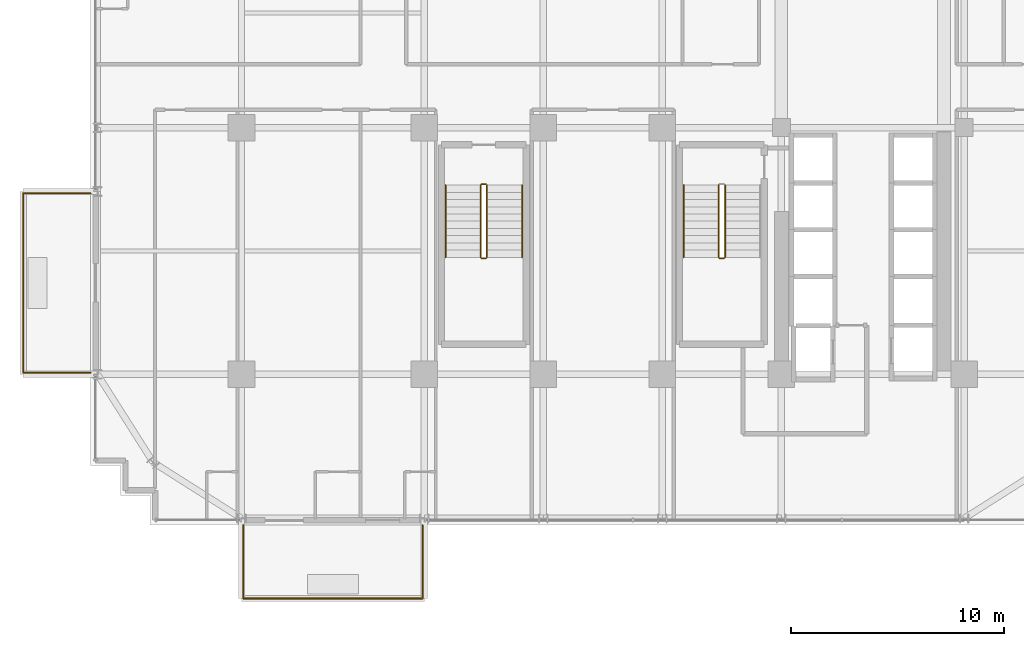
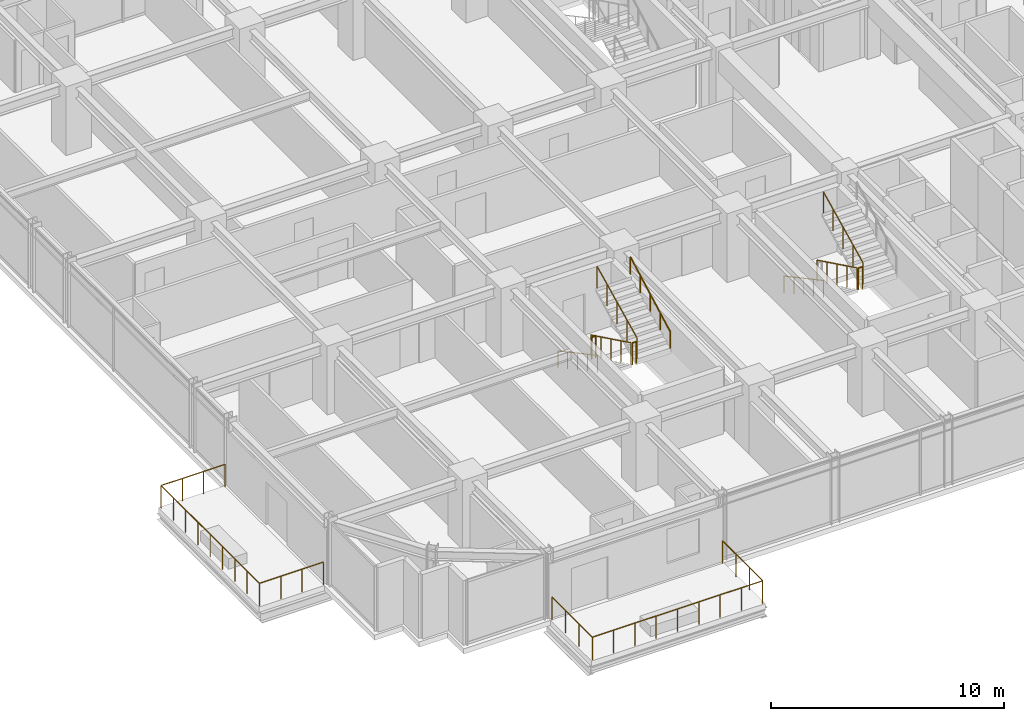
# One storey, part 30 of 32: 12 railings.
"""IFC4 building model written with IfcOpenShell, lengths in metres."""

import ifcopenshell
import ifcopenshell.guid

model = None  # the IFC model being written
_history = None  # IfcOwnerHistory: only IFC2X3 demands one
_inside = {}  # id of a spatial element -> (the spatial element, [elements in it])
_under = {}  # id of a project, library or spatial element -> (it, [spatial elements below it])
_declared = {}  # id of a project -> (the project, [libraries it declares])
_typed = {}  # id of a type object -> (the type object, [elements of that type])
_made_of = {}  # id of a material, layer set ... -> (it, [elements and type objects made of it])


def new_model(schema):
    """Start an empty IFC model of exactly this schema.

    Asked for "IFC4X3", IfcOpenShell would pick the latest addendum, in which some entities
    have other attributes; the version numbers below select the first issue.
    IFC2X3 requires an IfcOwnerHistory on every rooted entity: one is made here for all.
    """
    global model, _history
    if schema == "IFC4X3":
        model = ifcopenshell.file(schema_version=(4, 3, 0, 0))
    else:
        model = ifcopenshell.file(schema=schema)
    _inside.clear()
    _under.clear()
    _declared.clear()
    _typed.clear()
    _made_of.clear()
    _history = None
    if model.schema == "IFC2X3":
        org = make("IfcOrganization", Name="unknown")
        user = make(
            "IfcPersonAndOrganization",
            ThePerson=make("IfcPerson", FamilyName="unknown"),
            TheOrganization=org,
        )
        app = make(
            "IfcApplication",
            ApplicationDeveloper=org,
            Version="unknown",
            ApplicationFullName="unknown",
            ApplicationIdentifier="unknown",
        )
        _history = make(
            "IfcOwnerHistory",
            OwningUser=user,
            OwningApplication=app,
            ChangeAction="ADDED",
            CreationDate=0,
        )
    return model


def make(cls, **values):
    """One entity of the class cls with the attributes given. An attribute that is None is left unset."""
    return model.create_entity(
        cls, **{name: value for name, value in values.items() if value is not None}
    )


def rooted(cls, **values):
    """An entity with a GlobalId (a new one), such as an element, a storey or a relation."""
    return make(cls, GlobalId=ifcopenshell.guid.new(), OwnerHistory=_history, **values)


def si_unit(unit_type, name, prefix=None):
    """IfcSIUnit, for example si_unit("LENGTHUNIT", "METRE", prefix="MILLI")."""
    return make("IfcSIUnit", UnitType=unit_type, Prefix=prefix, Name=name)


def assignment(units):
    """IfcUnitAssignment: the units of a project."""
    return None if units is None else make("IfcUnitAssignment", Units=units)


def point(xyz):
    """IfcCartesianPoint."""
    return None if xyz is None else make("IfcCartesianPoint", Coordinates=xyz)


def direction(xyz):
    """IfcDirection."""
    return None if xyz is None else make("IfcDirection", DirectionRatios=xyz)


def frame(location, z_axis=None, x_axis=None):
    """IfcAxis2Placement3D, a coordinate frame: its origin and axes. An axis left out is left unset."""
    return make(
        "IfcAxis2Placement3D",
        Location=point(location),
        Axis=direction(z_axis),
        RefDirection=direction(x_axis),
    )


def frame_2d(location, x_axis=None):
    """IfcAxis2Placement2D, a coordinate frame in the plane: its origin and x axis."""
    return make(
        "IfcAxis2Placement2D", Location=point(location), RefDirection=direction(x_axis)
    )


def origin():
    """The frame at (0, 0, 0) with its axes left unset."""
    return frame((0.0, 0.0, 0.0))


def origin_2d():
    """The frame at (0, 0) in the plane with its x axis left unset."""
    return frame_2d((0.0, 0.0))


def place(relative_to, where):
    """IfcLocalPlacement: puts the frame where relative to a parent placement (None: the world)."""
    return make(
        "IfcLocalPlacement", PlacementRelTo=relative_to, RelativePlacement=where
    )


def context(
    kind, dimensions, precision=None, world=None, true_north=None, identifier=None
):
    """IfcGeometricRepresentationContext, for example the 3D "Model" context."""
    return make(
        "IfcGeometricRepresentationContext",
        ContextIdentifier=identifier,
        ContextType=kind,
        CoordinateSpaceDimension=dimensions,
        Precision=precision,
        WorldCoordinateSystem=world,
        TrueNorth=true_north,
    )


def subcontext(parent, identifier, kind, view, scale=None):
    """IfcGeometricRepresentationSubContext, for example "Body" below "Model"."""
    return make(
        "IfcGeometricRepresentationSubContext",
        ContextIdentifier=identifier,
        ContextType=kind,
        ParentContext=parent,
        TargetScale=scale,
        TargetView=view,
    )


def project(units=None, contexts=None):
    """IfcProject with its units and contexts."""
    return rooted(
        "IfcProject",
        Name="project",
        RepresentationContexts=contexts,
        UnitsInContext=assignment(units),
    )


def spatial(cls, under=None, at=None, **own):
    """A site, building, storey or space (cls), placed at a placement, below another one or the project."""
    s = rooted(cls, ObjectPlacement=at, **own)
    if under is not None:
        _under.setdefault(under.id(), (under, []))[1].append(s)
    return s


def profile(cls, at=None, kind="AREA", **sizes):
    """A parametric profile (cls). Its sizes go by their IFC names, for example OverallWidth=200.0."""
    return make(cls, ProfileType=kind, Position=at, **sizes)


def circle(**sizes):
    """IfcCircleProfileDef."""
    return profile("IfcCircleProfileDef", **sizes)


def extrude(swept, where, along, depth):
    """IfcExtrudedAreaSolid: the profile swept, set in the frame where, extruded along a direction by depth."""
    return make(
        "IfcExtrudedAreaSolid",
        SweptArea=swept,
        Position=where,
        ExtrudedDirection=direction(along),
        Depth=depth,
    )


def shape(context_of_items, identifier, shape_type, items):
    """IfcShapeRepresentation: the items that make up one representation, for example the "Body"."""
    return make(
        "IfcShapeRepresentation",
        ContextOfItems=context_of_items,
        RepresentationIdentifier=identifier,
        RepresentationType=shape_type,
        Items=items,
    )


def material(Name=None, Category=None):
    """IfcMaterial."""
    return make("IfcMaterial", Name=Name, Category=Category)


def made_of(thing, what):
    """Note that an element or type object is made of a material, layer set ...; save() writes the relation."""
    if what is not None:
        _made_of.setdefault(what.id(), (what, []))[1].append(thing)
    return thing


def type_object(cls, material=None, **own):
    """A type object (cls), such as IfcWallType, which elements share."""
    return made_of(rooted(cls, **own), material)


def element(
    cls,
    number,
    at=None,
    inside=None,
    cuts=None,
    type_object=None,
    material=None,
    context=None,
    identifier="Body",
    shape_type=None,
    held_by="IfcProductDefinitionShape",
    body=None,
    shapes=None,
    **own,
):
    """One element of the class cls, such as IfcWall. Its Tag is "e" and its number.

    at: its placement. inside: the storey or other place that contains it. cuts: it is an
    opening in that element (IfcRelVoidsElement). A single representation is given by context,
    identifier, shape_type and body (its items); several are given by shapes. held_by: the class
    of the entity that holds the representations. save() writes the other relations.
    """
    e = rooted(cls, Tag="e%d" % number, ObjectPlacement=at, **own)
    if body is not None:
        shapes = [shape(context, identifier, shape_type, body)]
    if shapes is not None:
        e.Representation = make(held_by, Representations=shapes)
    if inside is not None:
        _inside.setdefault(inside.id(), (inside, []))[1].append(e)
    if cuts is not None:
        rooted(
            "IfcRelVoidsElement", RelatingBuildingElement=cuts, RelatedOpeningElement=e
        )
    if type_object is not None:
        _typed.setdefault(type_object.id(), (type_object, []))[1].append(e)
    return made_of(e, material)


def aggregate(whole, parts):
    """IfcRelAggregates: a whole, such as a stair, and the parts it consists of."""
    return rooted("IfcRelAggregates", RelatingObject=whole, RelatedObjects=parts)


def save(model, path):
    """Write the relations noted so far, then the file.

    IfcRelAggregates (storeys below a building ...), IfcRelContainedInSpatialStructure (elements
    in a storey), IfcRelDefinesByType, IfcRelAssociatesMaterial and IfcRelDeclares: one each for
    every whole, place, type object, material and project.
    """
    for whole, parts in _under.values():
        aggregate(whole, parts)
    for where, things in _inside.values():
        rooted(
            "IfcRelContainedInSpatialStructure",
            RelatedElements=things,
            RelatingStructure=where,
        )
    for kind, things in _typed.values():
        rooted("IfcRelDefinesByType", RelatedObjects=things, RelatingType=kind)
    for what, things in _made_of.values():
        rooted("IfcRelAssociatesMaterial", RelatedObjects=things, RelatingMaterial=what)
    for by, libraries in _declared.values():
        rooted("IfcRelDeclares", RelatingContext=by, RelatedDefinitions=libraries)
    model.write(path)


model = new_model("IFC4")

# Units and contexts
model_context = context("Model", 3, precision=1e-05, world=origin(), true_north=direction((0.0, 1.0)))
body_context = subcontext(model_context, "Body", "Model", "MODEL_VIEW")
ifc_project = project(units=[si_unit("LENGTHUNIT", "METRE"), si_unit("AREAUNIT", "SQUARE_METRE"), si_unit("VOLUMEUNIT", "CUBIC_METRE"), si_unit("PLANEANGLEUNIT", "RADIAN"), si_unit("MASSUNIT", "GRAM", prefix="KILO")], contexts=[model_context])

# Site, building, storey
site_placement = place(None, origin())
site = spatial("IfcSite", under=ifc_project, at=site_placement, CompositionType="ELEMENT")
building_placement = place(site_placement, origin())
building = spatial("IfcBuilding", under=site, at=building_placement, Name="Nahalor Promenade Grand Hotel", CompositionType="ELEMENT")
storey_placement = place(building_placement, frame((0.0, 0.0, 124.800048828125)))
storey = spatial("IfcBuildingStorey", under=building, at=storey_placement, Name="L31", CompositionType="ELEMENT", Elevation=124.800048828125)

# Railings
ifc_material_1 = material(Name="Anodised Bronze Aluminium EN AW-6063 T6", Category="aluminium")
railing_type_1 = type_object("IfcRailingType", Name="Bronze Balcony Guardrail 1200 mm", PredefinedType="GUARDRAIL", material=ifc_material_1)
railing_1_placement = place(storey_placement, frame((-16.919921875, -24.10009765625, 0.0)))
element("IfcRailing", 1, at=railing_1_placement, inside=storey, type_object=railing_type_1, Name="L31 Balcony Guardrail 1", PredefinedType="GUARDRAIL", context=body_context, shape_type="SweptSolid", body=[
    extrude(circle(Radius=0.024048, at=origin_2d()), frame((0.0, 0.0, 1.17578125), z_axis=(0.0, -1.0, 0.0), x_axis=(1.0, 0.0, 0.0)), (0.0, 0.0, 1.0), 3.447998046875),
    extrude(circle(Radius=0.024048, at=origin_2d()), frame((0.001953125, -3.449951171875, 1.17578125), z_axis=(1.0, 0.0, 0.0), x_axis=(0.0, 1.0, 0.0)), (0.0, 0.0, 1.0), 8.43603515625),
    extrude(circle(Radius=0.024048, at=origin_2d()), frame((8.43994140625, -3.447998046875, 1.17578125), z_axis=(0.0, 1.0, 0.0), x_axis=(-1.0, 0.0, 0.0)), (0.0, 0.0, 1.0), 3.447998046875),
    extrude(circle(Radius=0.020996, at=origin_2d()), origin(), (0.0, 0.0, 1.0), 1.14990234375),
    extrude(circle(Radius=0.020996, at=origin_2d()), frame((0.0, -1.14990234375, 0.0)), (0.0, 0.0, 1.0), 1.14990234375),
    extrude(circle(Radius=0.020996, at=origin_2d()), frame((0.0, -2.300048828125, 0.0)), (0.0, 0.0, 1.0), 1.14990234375),
    extrude(circle(Radius=0.020996, at=origin_2d()), frame((0.0, -3.449951171875, 0.0)), (0.0, 0.0, 1.0), 1.14990234375),
    extrude(circle(Radius=0.020996, at=origin_2d()), frame((1.054931640625, -3.449951171875, 0.0)), (0.0, 0.0, 1.0), 1.14990234375),
    extrude(circle(Radius=0.020996, at=origin_2d()), frame((2.10986328125, -3.449951171875, 0.0)), (0.0, 0.0, 1.0), 1.14990234375),
    extrude(circle(Radius=0.020996, at=origin_2d()), frame((3.1650390625, -3.449951171875, 0.0)), (0.0, 0.0, 1.0), 1.14990234375),
    extrude(circle(Radius=0.020996, at=origin_2d()), frame((4.219970703125, -3.449951171875, 0.0)), (0.0, 0.0, 1.0), 1.14990234375),
    extrude(circle(Radius=0.020996, at=origin_2d()), frame((5.27490234375, -3.449951171875, 0.0)), (0.0, 0.0, 1.0), 1.14990234375),
    extrude(circle(Radius=0.020996, at=origin_2d()), frame((6.330078125, -3.449951171875, 0.0)), (0.0, 0.0, 1.0), 1.14990234375),
    extrude(circle(Radius=0.020996, at=origin_2d()), frame((7.385009765625, -3.449951171875, 0.0)), (0.0, 0.0, 1.0), 1.14990234375),
    extrude(circle(Radius=0.020996, at=origin_2d()), frame((8.43994140625, -3.449951171875, 0.0)), (0.0, 0.0, 1.0), 1.14990234375),
    extrude(circle(Radius=0.020996, at=origin_2d()), frame((8.43994140625, -2.300048828125, 0.0)), (0.0, 0.0, 1.0), 1.14990234375),
    extrude(circle(Radius=0.020996, at=origin_2d()), frame((8.43994140625, -1.14990234375, 0.0)), (0.0, 0.0, 1.0), 1.14990234375),
    extrude(circle(Radius=0.020996, at=origin_2d()), frame((8.43994140625, 0.0, 0.0)), (0.0, 0.0, 1.0), 1.14990234375),
])
railing_2_placement = place(storey_placement, frame((-24.10009765625, -16.919921875, 0.0)))
element("IfcRailing", 2, at=railing_2_placement, inside=storey, type_object=railing_type_1, Name="L31 Balcony Guardrail 2", PredefinedType="GUARDRAIL", context=body_context, shape_type="SweptSolid", body=[
    extrude(circle(Radius=0.024048, at=origin_2d()), frame((0.0, 0.0, 1.17578125), z_axis=(-1.0, 0.0, 0.0), x_axis=(0.0, -1.0, 0.0)), (0.0, 0.0, 1.0), 3.16796875),
    extrude(circle(Radius=0.024048, at=origin_2d()), frame((-3.169921875, 0.001953125, 1.17578125), z_axis=(0.0, 1.0, 0.0), x_axis=(-1.0, 0.0, 0.0)), (0.0, 0.0, 1.0), 8.43603515625),
    extrude(circle(Radius=0.024048, at=origin_2d()), frame((-3.16796875, 8.43994140625, 1.17578125), z_axis=(1.0, 0.0, 0.0), x_axis=(0.0, 1.0, 0.0)), (0.0, 0.0, 1.0), 3.16796875),
    extrude(circle(Radius=0.020996, at=origin_2d()), origin(), (0.0, 0.0, 1.0), 1.14990234375),
    extrude(circle(Radius=0.020996, at=origin_2d()), frame((-1.056640625, 0.0, 0.0)), (0.0, 0.0, 1.0), 1.14990234375),
    extrude(circle(Radius=0.020996, at=origin_2d()), frame((-2.11328125, 0.0, 0.0)), (0.0, 0.0, 1.0), 1.14990234375),
    extrude(circle(Radius=0.020996, at=origin_2d()), frame((-3.169921875, 0.0, 0.0)), (0.0, 0.0, 1.0), 1.14990234375),
    extrude(circle(Radius=0.020996, at=origin_2d()), frame((-3.169921875, 1.054931640625, 0.0)), (0.0, 0.0, 1.0), 1.14990234375),
    extrude(circle(Radius=0.020996, at=origin_2d()), frame((-3.169921875, 2.10986328125, 0.0)), (0.0, 0.0, 1.0), 1.14990234375),
    extrude(circle(Radius=0.020996, at=origin_2d()), frame((-3.169921875, 3.1650390625, 0.0)), (0.0, 0.0, 1.0), 1.14990234375),
    extrude(circle(Radius=0.020996, at=origin_2d()), frame((-3.169921875, 4.219970703125, 0.0)), (0.0, 0.0, 1.0), 1.14990234375),
    extrude(circle(Radius=0.020996, at=origin_2d()), frame((-3.169921875, 5.27490234375, 0.0)), (0.0, 0.0, 1.0), 1.14990234375),
    extrude(circle(Radius=0.020996, at=origin_2d()), frame((-3.169921875, 6.330078125, 0.0)), (0.0, 0.0, 1.0), 1.14990234375),
    extrude(circle(Radius=0.020996, at=origin_2d()), frame((-3.169921875, 7.385009765625, 0.0)), (0.0, 0.0, 1.0), 1.14990234375),
    extrude(circle(Radius=0.020996, at=origin_2d()), frame((-3.169921875, 8.43994140625, 0.0)), (0.0, 0.0, 1.0), 1.14990234375),
    extrude(circle(Radius=0.020996, at=origin_2d()), frame((-2.11328125, 8.43994140625, 0.0)), (0.0, 0.0, 1.0), 1.14990234375),
    extrude(circle(Radius=0.020996, at=origin_2d()), frame((-1.056640625, 8.43994140625, 0.0)), (0.0, 0.0, 1.0), 1.14990234375),
    extrude(circle(Radius=0.020996, at=origin_2d()), frame((0.0, 8.43994140625, 0.0)), (0.0, 0.0, 1.0), 1.14990234375),
])
ifc_material_2 = material(Name="Steel S355JR", Category="steel")
railing_type_2 = type_object("IfcRailingType", Name="Steel Stair Guardrail 1150 mm", PredefinedType="GUARDRAIL", material=ifc_material_2)
railing_3_placement = place(storey_placement, frame((5.449951171875, -8.10009765625, 0.165771484375)))
element("IfcRailing", 3, at=railing_3_placement, inside=storey, type_object=railing_type_2, Name="L31 ST2 stair guard 1", PredefinedType="GUARDRAIL", context=body_context, shape_type="SweptSolid", body=[
    extrude(circle(Radius=0.024048, at=origin_2d()), frame((0.0, 0.0, 1.1259765625), z_axis=(0.0, -0.898696488221, 0.438571114028), x_axis=(1.0, 0.0, 0.0)), (0.0, 0.0, 1.0), 3.783203125),
    extrude(circle(Radius=0.020996, at=origin_2d()), origin(), (0.0, 0.0, 1.0), 1.099853515625),
    extrude(circle(Radius=0.020996, at=origin_2d()), frame((0.0, -0.85009765625, 0.414794921875)), (0.0, 0.0, 1.0), 1.099853515625),
    extrude(circle(Radius=0.020996, at=origin_2d()), frame((0.0, -1.699951171875, 0.82958984375)), (0.0, 0.0, 1.0), 1.099853515625),
    extrude(circle(Radius=0.020996, at=origin_2d()), frame((0.0, -2.5498046875, 1.244384765625)), (0.0, 0.0, 1.0), 1.099853515625),
    extrude(circle(Radius=0.020996, at=origin_2d()), frame((0.0, -3.39990234375, 1.6591796875)), (0.0, 0.0, 1.0), 1.099853515625),
])
railing_4_placement = place(storey_placement, frame((5.5, -11.550048828125, 1.824951171875)))
element("IfcRailing", 4, at=railing_4_placement, inside=storey, type_object=railing_type_2, Name="L31 ST2 stair guard 2", PredefinedType="GUARDRAIL", context=body_context, shape_type="SweptSolid", body=[
    extrude(circle(Radius=0.024048, at=origin_2d()), frame((0.0, 0.0, 1.1259765625), z_axis=(1.0, 0.0, 0.0), x_axis=(0.0, 1.0, 0.0)), (0.0, 0.0, 1.0), 0.199951171875),
    extrude(circle(Radius=0.020996, at=origin_2d()), origin(), (0.0, 0.0, 1.0), 1.099853515625),
    extrude(circle(Radius=0.020996, at=origin_2d()), frame((0.199951171875, 0.0, 0.0)), (0.0, 0.0, 1.0), 1.099853515625),
])
railing_5_placement = place(storey_placement, frame((5.75, -11.5, 1.990966796875)))
element("IfcRailing", 5, at=railing_5_placement, inside=storey, type_object=railing_type_2, Name="L31 ST2 stair guard 3", PredefinedType="GUARDRAIL", context=body_context, shape_type="SweptSolid", body=[
    extrude(circle(Radius=0.024048, at=origin_2d()), frame((0.0, 0.0, 1.1259765625), z_axis=(0.0, 0.898721922897, 0.438518990814), x_axis=(-1.0, 0.0, 0.0)), (0.0, 0.0, 1.0), 3.782958984375),
    extrude(circle(Radius=0.020996, at=origin_2d()), origin(), (0.0, 0.0, 1.0), 1.099853515625),
    extrude(circle(Radius=0.020996, at=origin_2d()), frame((0.0, 0.85009765625, 0.414794921875)), (0.0, 0.0, 1.0), 1.099853515625),
    extrude(circle(Radius=0.020996, at=origin_2d()), frame((0.0, 1.699951171875, 0.82958984375)), (0.0, 0.0, 1.0), 1.099853515625),
    extrude(circle(Radius=0.020996, at=origin_2d()), frame((0.0, 2.5498046875, 1.244140625)), (0.0, 0.0, 1.0), 1.099853515625),
    extrude(circle(Radius=0.020996, at=origin_2d()), frame((0.0, 3.39990234375, 1.658935546875)), (0.0, 0.0, 1.0), 1.099853515625),
])
railing_6_placement = place(storey_placement, frame((-5.75, -8.10009765625, 0.165771484375)))
element("IfcRailing", 6, at=railing_6_placement, inside=storey, type_object=railing_type_2, Name="L31 ST3 stair guard 1", PredefinedType="GUARDRAIL", context=body_context, shape_type="SweptSolid", body=[
    extrude(circle(Radius=0.024048, at=origin_2d()), frame((0.0, 0.0, 1.1259765625), z_axis=(0.0, -0.898696488221, 0.438571114028), x_axis=(1.0, 0.0, 0.0)), (0.0, 0.0, 1.0), 3.783203125),
    extrude(circle(Radius=0.020996, at=origin_2d()), origin(), (0.0, 0.0, 1.0), 1.099853515625),
    extrude(circle(Radius=0.020996, at=origin_2d()), frame((0.0, -0.85009765625, 0.414794921875)), (0.0, 0.0, 1.0), 1.099853515625),
    extrude(circle(Radius=0.020996, at=origin_2d()), frame((0.0, -1.699951171875, 0.82958984375)), (0.0, 0.0, 1.0), 1.099853515625),
    extrude(circle(Radius=0.020996, at=origin_2d()), frame((0.0, -2.5498046875, 1.244384765625)), (0.0, 0.0, 1.0), 1.099853515625),
    extrude(circle(Radius=0.020996, at=origin_2d()), frame((0.0, -3.39990234375, 1.6591796875)), (0.0, 0.0, 1.0), 1.099853515625),
])
railing_7_placement = place(storey_placement, frame((-5.699951171875, -11.550048828125, 1.824951171875)))
element("IfcRailing", 7, at=railing_7_placement, inside=storey, type_object=railing_type_2, Name="L31 ST3 stair guard 2", PredefinedType="GUARDRAIL", context=body_context, shape_type="SweptSolid", body=[
    extrude(circle(Radius=0.024048, at=origin_2d()), frame((0.0, 0.0, 1.1259765625), z_axis=(1.0, 0.0, 0.0), x_axis=(0.0, 1.0, 0.0)), (0.0, 0.0, 1.0), 0.199951171875),
    extrude(circle(Radius=0.020996, at=origin_2d()), origin(), (0.0, 0.0, 1.0), 1.099853515625),
    extrude(circle(Radius=0.020996, at=origin_2d()), frame((0.199951171875, 0.0, 0.0)), (0.0, 0.0, 1.0), 1.099853515625),
])
railing_8_placement = place(storey_placement, frame((-5.449951171875, -11.5, 1.990966796875)))
element("IfcRailing", 8, at=railing_8_placement, inside=storey, type_object=railing_type_2, Name="L31 ST3 stair guard 3", PredefinedType="GUARDRAIL", context=body_context, shape_type="SweptSolid", body=[
    extrude(circle(Radius=0.024048, at=origin_2d()), frame((0.0, 0.0, 1.1259765625), z_axis=(0.0, 0.898721922897, 0.438518990814), x_axis=(-1.0, 0.0, 0.0)), (0.0, 0.0, 1.0), 3.782958984375),
    extrude(circle(Radius=0.020996, at=origin_2d()), origin(), (0.0, 0.0, 1.0), 1.099853515625),
    extrude(circle(Radius=0.020996, at=origin_2d()), frame((0.0, 0.85009765625, 0.414794921875)), (0.0, 0.0, 1.0), 1.099853515625),
    extrude(circle(Radius=0.020996, at=origin_2d()), frame((0.0, 1.699951171875, 0.82958984375)), (0.0, 0.0, 1.0), 1.099853515625),
    extrude(circle(Radius=0.020996, at=origin_2d()), frame((0.0, 2.5498046875, 1.244140625)), (0.0, 0.0, 1.0), 1.099853515625),
    extrude(circle(Radius=0.020996, at=origin_2d()), frame((0.0, 3.39990234375, 1.658935546875)), (0.0, 0.0, 1.0), 1.099853515625),
])
railing_9_placement = place(storey_placement, frame((-5.699951171875, -8.050048828125, 0.0)))
element("IfcRailing", 9, at=railing_9_placement, inside=storey, type_object=railing_type_2, Name="L31 ST3 stair guard 4", PredefinedType="GUARDRAIL", context=body_context, shape_type="SweptSolid", body=[
    extrude(circle(Radius=0.024048, at=origin_2d()), frame((0.0, 0.0, 1.1259765625), z_axis=(1.0, 0.0, 0.0), x_axis=(0.0, 1.0, 0.0)), (0.0, 0.0, 1.0), 0.199951171875),
    extrude(circle(Radius=0.020996, at=origin_2d()), origin(), (0.0, 0.0, 1.0), 1.099853515625),
    extrude(circle(Radius=0.020996, at=origin_2d()), frame((0.199951171875, 0.0, 0.0)), (0.0, 0.0, 1.0), 1.099853515625),
])
railing_type_3 = type_object("IfcRailingType", Name="Steel Stair Handrail 900 mm", PredefinedType="HANDRAIL", material=ifc_material_2)
for number, where, name in (
    (10, (3.800048828125, -8.10009765625, 0.165771484375), "L31 ST2 stair handrail 1"),
    (11, (-7.39990234375, -8.10009765625, 0.165771484375), "L31 ST3 stair handrail 1"),
):
    element("IfcRailing", number, at=place(storey_placement, frame(where)), inside=storey, type_object=railing_type_3, Name=name, PredefinedType="HANDRAIL", context=body_context, shape_type="SweptSolid", body=[
        extrude(circle(Radius=0.024048, at=origin_2d()), frame((0.0, 0.0, 0.8759765625), z_axis=(0.0, -0.881067672671, 0.472990228413), x_axis=(1.0, 0.0, 0.0)), (0.0, 0.0, 1.0), 3.85888671875),
        extrude(circle(Radius=0.020996, at=origin_2d()), origin(), (0.0, 0.0, 1.0), 0.849853515625),
        extrude(circle(Radius=0.020996, at=origin_2d()), frame((0.0, -0.85009765625, 0.456298828125)), (0.0, 0.0, 1.0), 0.849853515625),
        extrude(circle(Radius=0.020996, at=origin_2d()), frame((0.0, -1.699951171875, 0.91259765625)), (0.0, 0.0, 1.0), 0.849853515625),
        extrude(circle(Radius=0.020996, at=origin_2d()), frame((0.0, -2.5498046875, 1.368896484375)), (0.0, 0.0, 1.0), 0.849853515625),
        extrude(circle(Radius=0.020996, at=origin_2d()), frame((0.0, -3.39990234375, 1.8251953125)), (0.0, 0.0, 1.0), 0.849853515625),
    ])
railing_10_placement = place(storey_placement, frame((-3.800048828125, -11.5, 1.990966796875)))
element("IfcRailing", 12, at=railing_10_placement, inside=storey, type_object=railing_type_3, Name="L31 ST3 stair handrail 2", PredefinedType="HANDRAIL", context=body_context, shape_type="SweptSolid", body=[
    extrude(circle(Radius=0.024048, at=origin_2d()), frame((0.0, 0.0, 0.8759765625), z_axis=(0.0, 0.881094038095, 0.47294111265), x_axis=(-1.0, 0.0, 0.0)), (0.0, 0.0, 1.0), 3.858642578125),
    extrude(circle(Radius=0.020996, at=origin_2d()), origin(), (0.0, 0.0, 1.0), 0.849853515625),
    extrude(circle(Radius=0.020996, at=origin_2d()), frame((0.0, 0.85009765625, 0.456298828125)), (0.0, 0.0, 1.0), 0.849853515625),
    extrude(circle(Radius=0.020996, at=origin_2d()), frame((0.0, 1.699951171875, 0.91259765625)), (0.0, 0.0, 1.0), 0.849853515625),
    extrude(circle(Radius=0.020996, at=origin_2d()), frame((0.0, 2.5498046875, 1.36865234375)), (0.0, 0.0, 1.0), 0.849853515625),
    extrude(circle(Radius=0.020996, at=origin_2d()), frame((0.0, 3.39990234375, 1.824951171875)), (0.0, 0.0, 1.0), 0.849853515625),
])

save(model, "model.ifc")
